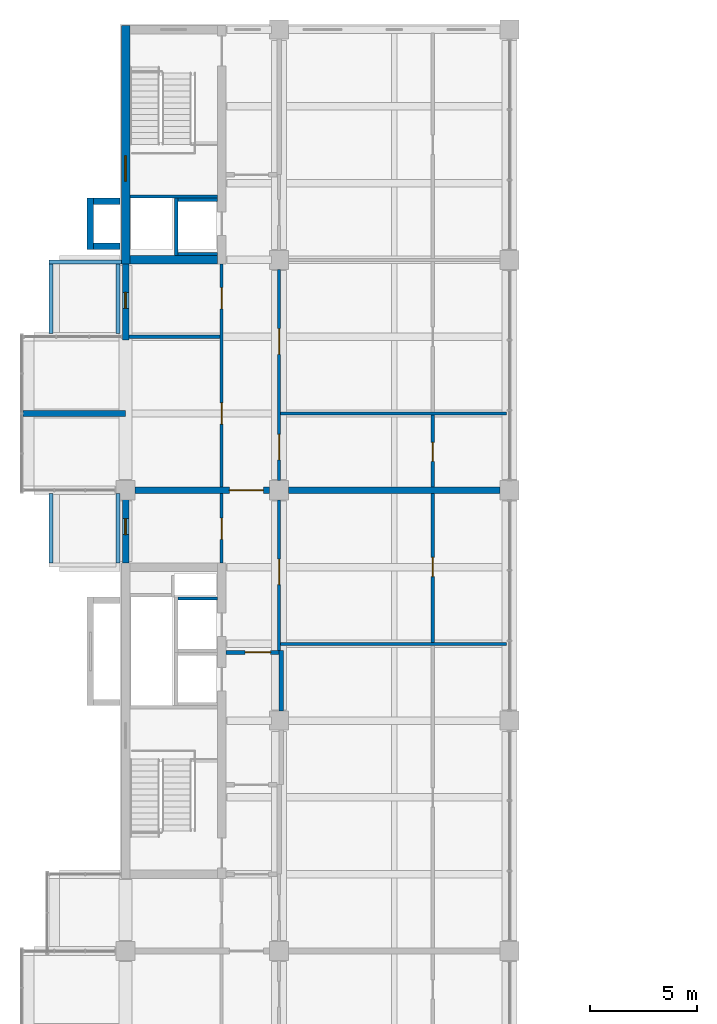
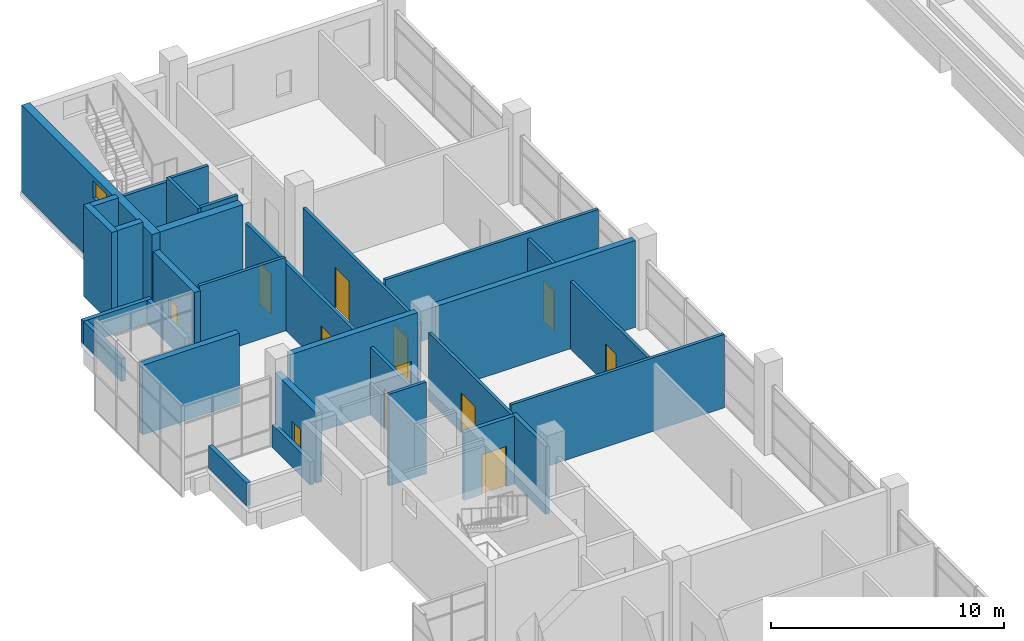
# One storey, part 25 of 32: 31 walls, 10 doors, 3 windows, 13 openings.
"""IFC4 building model written with IfcOpenShell, lengths in metres."""

import ifcopenshell
import ifcopenshell.guid

model = None  # the IFC model being written
_history = None  # IfcOwnerHistory: only IFC2X3 demands one
_inside = {}  # id of a spatial element -> (the spatial element, [elements in it])
_under = {}  # id of a project, library or spatial element -> (it, [spatial elements below it])
_declared = {}  # id of a project -> (the project, [libraries it declares])
_typed = {}  # id of a type object -> (the type object, [elements of that type])
_made_of = {}  # id of a material, layer set ... -> (it, [elements and type objects made of it])


def new_model(schema):
    """Start an empty IFC model of exactly this schema.

    Asked for "IFC4X3", IfcOpenShell would pick the latest addendum, in which some entities
    have other attributes; the version numbers below select the first issue.
    IFC2X3 requires an IfcOwnerHistory on every rooted entity: one is made here for all.
    """
    global model, _history
    if schema == "IFC4X3":
        model = ifcopenshell.file(schema_version=(4, 3, 0, 0))
    else:
        model = ifcopenshell.file(schema=schema)
    _inside.clear()
    _under.clear()
    _declared.clear()
    _typed.clear()
    _made_of.clear()
    _history = None
    if model.schema == "IFC2X3":
        org = make("IfcOrganization", Name="unknown")
        user = make(
            "IfcPersonAndOrganization",
            ThePerson=make("IfcPerson", FamilyName="unknown"),
            TheOrganization=org,
        )
        app = make(
            "IfcApplication",
            ApplicationDeveloper=org,
            Version="unknown",
            ApplicationFullName="unknown",
            ApplicationIdentifier="unknown",
        )
        _history = make(
            "IfcOwnerHistory",
            OwningUser=user,
            OwningApplication=app,
            ChangeAction="ADDED",
            CreationDate=0,
        )
    return model


def make(cls, **values):
    """One entity of the class cls with the attributes given. An attribute that is None is left unset."""
    return model.create_entity(
        cls, **{name: value for name, value in values.items() if value is not None}
    )


def rooted(cls, **values):
    """An entity with a GlobalId (a new one), such as an element, a storey or a relation."""
    return make(cls, GlobalId=ifcopenshell.guid.new(), OwnerHistory=_history, **values)


def si_unit(unit_type, name, prefix=None):
    """IfcSIUnit, for example si_unit("LENGTHUNIT", "METRE", prefix="MILLI")."""
    return make("IfcSIUnit", UnitType=unit_type, Prefix=prefix, Name=name)


def assignment(units):
    """IfcUnitAssignment: the units of a project."""
    return None if units is None else make("IfcUnitAssignment", Units=units)


def point(xyz):
    """IfcCartesianPoint."""
    return None if xyz is None else make("IfcCartesianPoint", Coordinates=xyz)


def direction(xyz):
    """IfcDirection."""
    return None if xyz is None else make("IfcDirection", DirectionRatios=xyz)


def frame(location, z_axis=None, x_axis=None):
    """IfcAxis2Placement3D, a coordinate frame: its origin and axes. An axis left out is left unset."""
    return make(
        "IfcAxis2Placement3D",
        Location=point(location),
        Axis=direction(z_axis),
        RefDirection=direction(x_axis),
    )


def frame_2d(location, x_axis=None):
    """IfcAxis2Placement2D, a coordinate frame in the plane: its origin and x axis."""
    return make(
        "IfcAxis2Placement2D", Location=point(location), RefDirection=direction(x_axis)
    )


def origin():
    """The frame at (0, 0, 0) with its axes left unset."""
    return frame((0.0, 0.0, 0.0))


def place(relative_to, where):
    """IfcLocalPlacement: puts the frame where relative to a parent placement (None: the world)."""
    return make(
        "IfcLocalPlacement", PlacementRelTo=relative_to, RelativePlacement=where
    )


def context(
    kind, dimensions, precision=None, world=None, true_north=None, identifier=None
):
    """IfcGeometricRepresentationContext, for example the 3D "Model" context."""
    return make(
        "IfcGeometricRepresentationContext",
        ContextIdentifier=identifier,
        ContextType=kind,
        CoordinateSpaceDimension=dimensions,
        Precision=precision,
        WorldCoordinateSystem=world,
        TrueNorth=true_north,
    )


def subcontext(parent, identifier, kind, view, scale=None):
    """IfcGeometricRepresentationSubContext, for example "Body" below "Model"."""
    return make(
        "IfcGeometricRepresentationSubContext",
        ContextIdentifier=identifier,
        ContextType=kind,
        ParentContext=parent,
        TargetScale=scale,
        TargetView=view,
    )


def project(units=None, contexts=None):
    """IfcProject with its units and contexts."""
    return rooted(
        "IfcProject",
        Name="project",
        RepresentationContexts=contexts,
        UnitsInContext=assignment(units),
    )


def spatial(cls, under=None, at=None, **own):
    """A site, building, storey or space (cls), placed at a placement, below another one or the project."""
    s = rooted(cls, ObjectPlacement=at, **own)
    if under is not None:
        _under.setdefault(under.id(), (under, []))[1].append(s)
    return s


def profile(cls, at=None, kind="AREA", **sizes):
    """A parametric profile (cls). Its sizes go by their IFC names, for example OverallWidth=200.0."""
    return make(cls, ProfileType=kind, Position=at, **sizes)


def rectangle(**sizes):
    """IfcRectangleProfileDef."""
    return profile("IfcRectangleProfileDef", **sizes)


def extrude(swept, where, along, depth):
    """IfcExtrudedAreaSolid: the profile swept, set in the frame where, extruded along a direction by depth."""
    return make(
        "IfcExtrudedAreaSolid",
        SweptArea=swept,
        Position=where,
        ExtrudedDirection=direction(along),
        Depth=depth,
    )


def shape(context_of_items, identifier, shape_type, items):
    """IfcShapeRepresentation: the items that make up one representation, for example the "Body"."""
    return make(
        "IfcShapeRepresentation",
        ContextOfItems=context_of_items,
        RepresentationIdentifier=identifier,
        RepresentationType=shape_type,
        Items=items,
    )


def material(Name=None, Category=None):
    """IfcMaterial."""
    return make("IfcMaterial", Name=Name, Category=Category)


def layer(
    of_material, thickness, ventilated=None, Name=None, Category=None, Priority=None
):
    """IfcMaterialLayer: one layer of a wall or slab, of a material (None: an air gap)."""
    return make(
        "IfcMaterialLayer",
        Material=of_material,
        LayerThickness=thickness,
        IsVentilated=ventilated,
        Name=Name,
        Category=Category,
        Priority=Priority,
    )


def layer_set(layers, Name=None):
    """IfcMaterialLayerSet."""
    return make("IfcMaterialLayerSet", MaterialLayers=layers, LayerSetName=Name)


def made_of(thing, what):
    """Note that an element or type object is made of a material, layer set ...; save() writes the relation."""
    if what is not None:
        _made_of.setdefault(what.id(), (what, []))[1].append(thing)
    return thing


def type_object(cls, material=None, **own):
    """A type object (cls), such as IfcWallType, which elements share."""
    return made_of(rooted(cls, **own), material)


def element(
    cls,
    number,
    at=None,
    inside=None,
    cuts=None,
    type_object=None,
    material=None,
    context=None,
    identifier="Body",
    shape_type=None,
    held_by="IfcProductDefinitionShape",
    body=None,
    shapes=None,
    **own,
):
    """One element of the class cls, such as IfcWall. Its Tag is "e" and its number.

    at: its placement. inside: the storey or other place that contains it. cuts: it is an
    opening in that element (IfcRelVoidsElement). A single representation is given by context,
    identifier, shape_type and body (its items); several are given by shapes. held_by: the class
    of the entity that holds the representations. save() writes the other relations.
    """
    e = rooted(cls, Tag="e%d" % number, ObjectPlacement=at, **own)
    if body is not None:
        shapes = [shape(context, identifier, shape_type, body)]
    if shapes is not None:
        e.Representation = make(held_by, Representations=shapes)
    if inside is not None:
        _inside.setdefault(inside.id(), (inside, []))[1].append(e)
    if cuts is not None:
        rooted(
            "IfcRelVoidsElement", RelatingBuildingElement=cuts, RelatedOpeningElement=e
        )
    if type_object is not None:
        _typed.setdefault(type_object.id(), (type_object, []))[1].append(e)
    return made_of(e, material)


def fill(opening, filler):
    """IfcRelFillsElement: the door or window that sits in an opening."""
    return rooted(
        "IfcRelFillsElement",
        RelatingOpeningElement=opening,
        RelatedBuildingElement=filler,
    )


def aggregate(whole, parts):
    """IfcRelAggregates: a whole, such as a stair, and the parts it consists of."""
    return rooted("IfcRelAggregates", RelatingObject=whole, RelatedObjects=parts)


def save(model, path):
    """Write the relations noted so far, then the file.

    IfcRelAggregates (storeys below a building ...), IfcRelContainedInSpatialStructure (elements
    in a storey), IfcRelDefinesByType, IfcRelAssociatesMaterial and IfcRelDeclares: one each for
    every whole, place, type object, material and project.
    """
    for whole, parts in _under.values():
        aggregate(whole, parts)
    for where, things in _inside.values():
        rooted(
            "IfcRelContainedInSpatialStructure",
            RelatedElements=things,
            RelatingStructure=where,
        )
    for kind, things in _typed.values():
        rooted("IfcRelDefinesByType", RelatedObjects=things, RelatingType=kind)
    for what, things in _made_of.values():
        rooted("IfcRelAssociatesMaterial", RelatedObjects=things, RelatingMaterial=what)
    for by, libraries in _declared.values():
        rooted("IfcRelDeclares", RelatingContext=by, RelatedDefinitions=libraries)
    model.write(path)


model = new_model("IFC4")

# Units and contexts
model_context = context("Model", 3, precision=1e-05, world=origin(), true_north=direction((0.0, 1.0)))
body_context = subcontext(model_context, "Body", "Model", "MODEL_VIEW")
ifc_project = project(units=[si_unit("LENGTHUNIT", "METRE"), si_unit("AREAUNIT", "SQUARE_METRE"), si_unit("VOLUMEUNIT", "CUBIC_METRE"), si_unit("PLANEANGLEUNIT", "RADIAN"), si_unit("MASSUNIT", "GRAM", prefix="KILO")], contexts=[model_context])

# Site, building, storey
site_placement = place(None, origin())
site = spatial("IfcSite", under=ifc_project, at=site_placement, CompositionType="ELEMENT")
building_placement = place(site_placement, origin())
building = spatial("IfcBuilding", under=site, at=building_placement, Name="Basin Gate Institute", CompositionType="ELEMENT")
storey_placement = place(building_placement, frame((0.0, 0.0, 41.39990234375)))
storey = spatial("IfcBuildingStorey", under=building, at=storey_placement, Name="L08", CompositionType="ELEMENT", Elevation=41.39990234375)

# Wall
ifc_material_1 = material(Name="Aluminium-faced insulated panel wall", Category="aluminium")
ifc_layer_1 = layer(ifc_material_1, 0.300048828125)
ifc_layer_set_1 = layer_set([ifc_layer_1], Name="Capsule side wall EW2 EI 120")
wall_type_1 = type_object("IfcWallType", Name="Capsule side wall EW2 EI 120", PredefinedType="STANDARD", material=ifc_layer_set_1)
wall_1_placement = place(storey_placement, frame((56.39990234375, 81.89990234375, 0.0), z_axis=(0.0, 0.0, 1.0), x_axis=(1.0, 0.0, 0.0)))
element("IfcWall", 1, at=wall_1_placement, inside=storey, type_object=wall_type_1, material=ifc_layer_set_1, Name="Capsule side wall W wing L08 line 14", PredefinedType="STANDARD", context=body_context, shape_type="SweptSolid", body=[
    extrude(rectangle(XDim=4.800048828125, YDim=0.300048828125, at=frame_2d((2.39990234375, 0.0))), origin(), (0.0, 0.0, 1.0), 3.650146484375),
])

# Wall, opening, door
ifc_material_2 = material(Name="Fire-rated masonry", Category="masonry")
ifc_layer_2 = layer(ifc_material_2, 0.199951171875)
ifc_layer_set_2 = layer_set([ifc_layer_2], Name="Enclosure wall PW2 200 EI 60")
wall_type_2 = type_object("IfcWallType", Name="Enclosure wall PW2 200 EI 60", PredefinedType="PARTITIONING", material=ifc_layer_set_2)
wall_2_placement = place(storey_placement, frame((65.89990234375, 70.699951171875, 0.0), z_axis=(0.0, 0.0, 1.0), x_axis=(1.0, 0.0, 0.0)))
wall_2 = element("IfcWall", 2, at=wall_2_placement, inside=storey, type_object=wall_type_2, material=ifc_layer_set_2, Name="Emergency lift lobby wall PW2 L08", PredefinedType="PARTITIONING", context=body_context, shape_type="SweptSolid", body=[
    extrude(rectangle(XDim=2.5, YDim=0.199951171875, at=frame_2d((1.25, 0.0))), origin(), (0.0, 0.0, 1.0), 3.550048828125),
])
opening_1_placement = place(wall_2_placement, frame((0.89990234375, 0.0, 0.0)))
opening_1 = element("IfcOpeningElement", 3, at=opening_1_placement, cuts=wall_2, Name="Opening DR402", PredefinedType="OPENING", context=body_context, shape_type="SweptSolid", body=[
    extrude(rectangle(XDim=1.199951171875, YDim=2.10009765625, at=frame_2d((0.60009765625, 1.050048828125))), frame((0.0, 0.10986328125, 0.0), z_axis=(0.0, -1.0, 0.0), x_axis=(1.0, 0.0, 0.0)), (0.0, 0.0, 1.0), 0.219970703125),
])
ifc_material_3 = material(Name="Steel fire door", Category="steel")
door_type_1 = type_object("IfcDoorType", Name="FD60 Emergency lift lobby door D9", OperationType="NOTDEFINED", PredefinedType="DOOR", material=ifc_material_3)
door_1_placement = place(opening_1_placement, frame((1.199951171875, 0.0, 0.0), z_axis=(0.0, 0.0, 1.0), x_axis=(-1.0, 0.0, 0.0)))
door_1 = element("IfcDoor", 4, at=door_1_placement, inside=storey, type_object=door_type_1, material=ifc_material_3, Name="Emergency lift lobby door LF1 L08", OperationType="SINGLE_SWING_LEFT", OverallHeight=2.10009765625, OverallWidth=1.199951171875, PredefinedType="DOOR", context=body_context, shape_type="SweptSolid", body=[
    extrude(rectangle(XDim=1.199951171875, YDim=2.10009765625, at=frame_2d((0.60009765625, 1.050048828125))), frame((0.0, 0.02490234375, 0.0), z_axis=(0.0, -1.0, 0.0), x_axis=(1.0, 0.0, 0.0)), (0.0, 0.0, 1.0), 0.050048828125),
])
fill(opening_1, door_1)

# Wall
wall_3_placement = place(storey_placement, frame((68.5, 67.949951171875, 0.0), z_axis=(0.0, 0.0, 1.0), x_axis=(0.0, 1.0, 0.0)))
element("IfcWall", 5, at=wall_3_placement, inside=storey, type_object=wall_type_2, material=ifc_layer_set_2, Name="Emergency lift lobby wall PW2 L08", PredefinedType="PARTITIONING", context=body_context, shape_type="SweptSolid", body=[
    extrude(rectangle(XDim=2.85009765625, YDim=0.199951171875, at=frame_2d((1.425048828125, 0.0))), origin(), (0.0, 0.0, 1.0), 3.550048828125),
])

# Wall, opening, window
ifc_material_4 = material(Name="Aluminium-faced insulated panel wall", Category="aluminium")
ifc_layer_3 = layer(ifc_material_4, 0.300048828125)
ifc_layer_set_3 = layer_set([ifc_layer_3], Name="External wall EW1 EI 120")
wall_type_3 = type_object("IfcWallType", Name="External wall EW1 EI 120", PredefinedType="STANDARD", material=ifc_layer_set_3)
wall_4_placement = place(storey_placement, frame((61.199951171875, 74.89990234375, 0.0), z_axis=(0.0, 0.0, 1.0), x_axis=(0.0, 1.0, 0.0)))
wall_4 = element("IfcWall", 6, at=wall_4_placement, inside=storey, type_object=wall_type_3, material=ifc_layer_set_3, Name="External wall W facade L08 1", PredefinedType="STANDARD", context=body_context, shape_type="SweptSolid", body=[
    extrude(rectangle(XDim=3.550048828125, YDim=0.300048828125, at=frame_2d((1.77490234375, 0.0))), origin(), (0.0, 0.0, 1.0), 3.650146484375),
])
opening_2_placement = place(wall_4_placement, frame((1.324951171875, 0.0, 0.800048828125)))
opening_2 = element("IfcOpeningElement", 7, at=opening_2_placement, cuts=wall_4, Name="Opening WN3", PredefinedType="OPENING", context=body_context, shape_type="SweptSolid", body=[
    extrude(rectangle(XDim=0.75, YDim=1.199951171875, at=frame_2d((0.375, 0.60009765625))), frame((0.0, 0.16015625, 0.0), z_axis=(0.0, -1.0, 0.0), x_axis=(1.0, 0.0, 0.0)), (0.0, 0.0, 1.0), 0.320068359375),
])
ifc_material_5 = material(Name="Aluminium-framed double glazing", Category="aluminium")
window_type_1 = type_object("IfcWindowType", Name="Emergency entry panel WN3", PartitioningType="SINGLE_PANEL", PredefinedType="WINDOW", material=ifc_material_5)
window_1_placement = place(opening_2_placement, origin())
window_1 = element("IfcWindow", 8, at=window_1_placement, inside=storey, type_object=window_type_1, material=ifc_material_5, Name="Emergency entry panel W facade L08 bay 12", OverallHeight=1.199951171875, OverallWidth=0.75, PartitioningType="SINGLE_PANEL", PredefinedType="WINDOW", context=body_context, shape_type="SweptSolid", body=[
    extrude(rectangle(XDim=0.75, YDim=1.199951171875, at=frame_2d((0.375, 0.60009765625))), frame((0.0, 0.030029296875, 0.0), z_axis=(0.0, -1.0, 0.0), x_axis=(1.0, 0.0, 0.0)), (0.0, 0.0, 1.0), 0.06005859375),
])
fill(opening_2, window_1)

wall_5_placement = place(storey_placement, frame((61.199951171875, 85.35009765625, 0.0), z_axis=(0.0, 0.0, 1.0), x_axis=(0.0, 1.0, 0.0)))
wall_5 = element("IfcWall", 9, at=wall_5_placement, inside=storey, type_object=wall_type_3, material=ifc_layer_set_3, Name="External wall W facade L08 2", PredefinedType="STANDARD", context=body_context, shape_type="SweptSolid", body=[
    extrude(rectangle(XDim=3.5498046875, YDim=0.300048828125, at=frame_2d((1.77490234375, 0.0))), origin(), (0.0, 0.0, 1.0), 3.650146484375),
])
opening_3_placement = place(wall_5_placement, frame((1.47509765625, 0.0, 0.800048828125)))
opening_3 = element("IfcOpeningElement", 10, at=opening_3_placement, cuts=wall_5, Name="Opening WN3", PredefinedType="OPENING", context=body_context, shape_type="SweptSolid", body=[
    extrude(rectangle(XDim=0.75, YDim=1.199951171875, at=frame_2d((0.375, 0.60009765625))), frame((0.0, 0.16015625, 0.0), z_axis=(0.0, -1.0, 0.0), x_axis=(1.0, 0.0, 0.0)), (0.0, 0.0, 1.0), 0.320068359375),
])
window_2_placement = place(opening_3_placement, origin())
window_2 = element("IfcWindow", 11, at=window_2_placement, inside=storey, type_object=window_type_1, material=ifc_material_5, Name="Emergency entry panel W facade L08 bay 15", OverallHeight=1.199951171875, OverallWidth=0.75, PartitioningType="SINGLE_PANEL", PredefinedType="WINDOW", context=body_context, shape_type="SweptSolid", body=[
    extrude(rectangle(XDim=0.75, YDim=1.199951171875, at=frame_2d((0.375, 0.60009765625))), frame((0.0, 0.030029296875, 0.0), z_axis=(0.0, -1.0, 0.0), x_axis=(1.0, 0.0, 0.0)), (0.0, 0.0, 1.0), 0.06005859375),
])
fill(opening_3, window_2)

# Walls
ifc_material_6 = material(Name="Concrete 40 MPa", Category="concrete")
ifc_layer_4 = layer(ifc_material_6, 0.199951171875)
ifc_layer_set_4 = layer_set([ifc_layer_4], Name="Concrete 40 MPa")
wall_type_4 = type_object("IfcWallType", Name="Parapet wall PA1", PredefinedType="PARAPET", material=ifc_layer_set_4)
for number, where, z_axis, x_axis, name in (
    (12, (60.85009765625, 78.14990234375, 0.0), (0.0, 0.0, 1.0), (0.0, -1.0, 0.0), "Parapet wall PA1 L08 W1"),
    (13, (57.699951171875, 74.89990234375, 0.0), (0.0, 0.0, 1.0), (0.0, 1.0, 0.0), "Parapet wall PA1 L08 W3"),
):
    element("IfcWall", number, at=place(storey_placement, frame(where, z_axis=z_axis, x_axis=x_axis)), inside=storey, type_object=wall_type_4, material=ifc_layer_set_4, Name=name, PredefinedType="PARAPET", context=body_context, shape_type="SweptSolid", body=[
        extrude(rectangle(XDim=3.25, YDim=0.199951171875, at=frame_2d((1.625, 0.0))), origin(), (0.0, 0.0, 1.0), 1.2001953125),
    ])
wall_6_placement = place(storey_placement, frame((57.60009765625, 89.0, 0.0), z_axis=(0.0, 0.0, 1.0), x_axis=(1.0, 0.0, 0.0)))
element("IfcWall", 14, at=wall_6_placement, inside=storey, type_object=wall_type_4, material=ifc_layer_set_4, Name="Parapet wall PA1 L08 W4", PredefinedType="PARAPET", context=body_context, shape_type="SweptSolid", body=[
    extrude(rectangle(XDim=3.39990234375, YDim=0.199951171875, at=frame_2d((1.699951171875, 0.0))), origin(), (0.0, 0.0, 1.0), 1.2001953125),
])
for number, where, z_axis, x_axis, name in (
    (15, (60.85009765625, 88.89990234375, 0.0), (0.0, 0.0, 1.0), (0.0, -1.0, 0.0), "Parapet wall PA1 L08 W5"),
    (16, (57.699951171875, 85.64990234375, 0.0), (0.0, 0.0, 1.0), (0.0, 1.0, 0.0), "Parapet wall PA1 L08 W6"),
):
    element("IfcWall", number, at=place(storey_placement, frame(where, z_axis=z_axis, x_axis=x_axis)), inside=storey, type_object=wall_type_4, material=ifc_layer_set_4, Name=name, PredefinedType="PARAPET", context=body_context, shape_type="SweptSolid", body=[
        extrude(rectangle(XDim=3.25, YDim=0.199951171875, at=frame_2d((1.625, 0.0))), origin(), (0.0, 0.0, 1.0), 1.2001953125),
    ])

# Wall, opening, door
ifc_material_7 = material(Name="Gypsum board on steel stud", Category="steel")
ifc_layer_5 = layer(ifc_material_7, 0.14990234375)
ifc_layer_set_5 = layer_set([ifc_layer_5], Name="Gypsum board on steel stud")
wall_type_5 = type_object("IfcWallType", Name="Partition PW1 150 EI 60", PredefinedType="PARTITIONING", material=ifc_layer_set_5)
wall_7_placement = place(storey_placement, frame((65.699951171875, 74.89990234375, 0.0), z_axis=(0.0, 0.0, 1.0), x_axis=(0.0, 1.0, 0.0)))
wall_7 = element("IfcWall", 17, at=wall_7_placement, inside=storey, type_object=wall_type_5, material=ifc_layer_set_5, Name="Corridor wall PW1 L08", PredefinedType="PARTITIONING", context=body_context, shape_type="SweptSolid", body=[
    extrude(rectangle(XDim=3.25, YDim=0.14990234375, at=frame_2d((1.625, 0.0))), origin(), (0.0, 0.0, 1.0), 3.550048828125),
])
opening_4_placement = place(wall_7_placement, frame((1.10009765625, 0.0, 0.0)))
opening_4 = element("IfcOpeningElement", 18, at=opening_4_placement, cuts=wall_7, Name="Opening DR391", PredefinedType="OPENING", context=body_context, shape_type="SweptSolid", body=[
    extrude(rectangle(XDim=1.0, YDim=2.10009765625, at=frame_2d((0.5, 1.050048828125))), frame((0.0, 0.0849609375, 0.0), z_axis=(0.0, -1.0, 0.0), x_axis=(1.0, 0.0, 0.0)), (0.0, 0.0, 1.0), 0.169921875),
])
ifc_material_8 = material(Name="Timber fire door", Category="wood")
door_type_2 = type_object("IfcDoorType", Name="FD30 Toilet door D3", OperationType="NOTDEFINED", PredefinedType="DOOR", material=ifc_material_8)
door_2_placement = place(opening_4_placement, origin())
door_2 = element("IfcDoor", 19, at=door_2_placement, inside=storey, type_object=door_type_2, material=ifc_material_8, Name="Door to Female WC L08", OperationType="SINGLE_SWING_LEFT", OverallHeight=2.10009765625, OverallWidth=1.0, PredefinedType="DOOR", context=body_context, shape_type="SweptSolid", body=[
    extrude(rectangle(XDim=1.0, YDim=2.10009765625, at=frame_2d((0.5, 1.050048828125))), frame((0.0, 0.02490234375, 0.0), z_axis=(0.0, -1.0, 0.0), x_axis=(1.0, 0.0, 0.0)), (0.0, 0.0, 1.0), 0.050048828125),
])
fill(opening_4, door_2)

# Wall, openings, doors
wall_8_placement = place(storey_placement, frame((65.699951171875, 78.449951171875, 0.0), z_axis=(0.0, 0.0, 1.0), x_axis=(0.0, 1.0, 0.0)))
wall_8 = element("IfcWall", 20, at=wall_8_placement, inside=storey, type_object=wall_type_5, material=ifc_layer_set_5, Name="Corridor wall PW1 L08", PredefinedType="PARTITIONING", context=body_context, shape_type="SweptSolid", body=[
    extrude(rectangle(XDim=10.449951171875, YDim=0.14990234375, at=frame_2d((5.22509765625, 0.0))), origin(), (0.0, 0.0, 1.0), 3.550048828125),
])
opening_5_placement = place(wall_8_placement, frame((8.35009765625, 0.0, 0.0)))
opening_5 = element("IfcOpeningElement", 21, at=opening_5_placement, cuts=wall_8, Name="Opening DR381", PredefinedType="OPENING", context=body_context, shape_type="SweptSolid", body=[
    extrude(rectangle(XDim=1.0, YDim=2.10009765625, at=frame_2d((0.5, 1.050048828125))), frame((0.0, 0.0849609375, 0.0), z_axis=(0.0, -1.0, 0.0), x_axis=(1.0, 0.0, 0.0)), (0.0, 0.0, 1.0), 0.169921875),
])
opening_6_placement = place(wall_8_placement, frame((2.949951171875, 0.0, 0.0)))
opening_6 = element("IfcOpeningElement", 22, at=opening_6_placement, cuts=wall_8, Name="Opening DR393", PredefinedType="OPENING", context=body_context, shape_type="SweptSolid", body=[
    extrude(rectangle(XDim=1.0, YDim=2.10009765625, at=frame_2d((0.5, 1.050048828125))), frame((0.0, 0.0849609375, 0.0), z_axis=(0.0, -1.0, 0.0), x_axis=(1.0, 0.0, 0.0)), (0.0, 0.0, 1.0), 0.169921875),
])
ifc_material_9 = material(Name="Timber fire door", Category="wood")
door_type_3 = type_object("IfcDoorType", Name="FD30 Office door D1", OperationType="NOTDEFINED", PredefinedType="DOOR", material=ifc_material_9)
door_3_placement = place(opening_6_placement, origin())
door_3 = element("IfcDoor", 23, at=door_3_placement, inside=storey, type_object=door_type_3, material=ifc_material_9, Name="Door to Mechanical Plant Room 0804 L08", OperationType="SINGLE_SWING_LEFT", OverallHeight=2.10009765625, OverallWidth=1.0, PredefinedType="DOOR", context=body_context, shape_type="SweptSolid", body=[
    extrude(rectangle(XDim=1.0, YDim=2.10009765625, at=frame_2d((0.5, 1.050048828125))), frame((0.0, 0.02490234375, 0.0), z_axis=(0.0, -1.0, 0.0), x_axis=(1.0, 0.0, 0.0)), (0.0, 0.0, 1.0), 0.050048828125),
])
fill(opening_6, door_3)
door_4_placement = place(opening_5_placement, origin())
door_4 = element("IfcDoor", 24, at=door_4_placement, inside=storey, type_object=door_type_2, material=ifc_material_8, Name="Door to Accessible WC L08", OperationType="SINGLE_SWING_RIGHT", OverallHeight=2.10009765625, OverallWidth=1.0, PredefinedType="DOOR", context=body_context, shape_type="SweptSolid", body=[
    extrude(rectangle(XDim=1.0, YDim=2.10009765625, at=frame_2d((0.5, 1.050048828125))), frame((0.0, 0.02490234375, 0.0), z_axis=(0.0, -1.0, 0.0), x_axis=(1.0, 0.0, 0.0)), (0.0, 0.0, 1.0), 0.050048828125),
])
fill(opening_5, door_4)

# Wall, opening, door
wall_9_placement = place(storey_placement, frame((68.39990234375, 70.800048828125, 0.0), z_axis=(0.0, 0.0, 1.0), x_axis=(0.0, 1.0, 0.0)))
wall_9 = element("IfcWall", 25, at=wall_9_placement, inside=storey, type_object=wall_type_5, material=ifc_layer_set_5, Name="Laboratory corridor wall PW1 L08", PredefinedType="PARTITIONING", context=body_context, shape_type="SweptSolid", body=[
    extrude(rectangle(XDim=7.050048828125, YDim=0.14990234375, at=frame_2d((3.52490234375, 0.0))), origin(), (0.0, 0.0, 1.0), 3.550048828125),
])
opening_7_placement = place(wall_9_placement, frame((3.074951171875, 0.0, 0.0)))
opening_7 = element("IfcOpeningElement", 26, at=opening_7_placement, cuts=wall_9, Name="Opening DR387", PredefinedType="OPENING", context=body_context, shape_type="SweptSolid", body=[
    extrude(rectangle(XDim=1.199951171875, YDim=2.10009765625, at=frame_2d((0.60009765625, 1.050048828125))), frame((0.0, 0.0849609375, 0.0), z_axis=(0.0, -1.0, 0.0), x_axis=(1.0, 0.0, 0.0)), (0.0, 0.0, 1.0), 0.169921875),
])
ifc_material_10 = material(Name="Timber fire door", Category="wood")
door_type_4 = type_object("IfcDoorType", Name="FD30 Laboratory door D2", OperationType="DOUBLE_DOOR_SINGLE_SWING", PredefinedType="DOOR", material=ifc_material_10)
door_5_placement = place(opening_7_placement, frame((1.199951171875, 0.0, 0.0), z_axis=(0.0, 0.0, 1.0), x_axis=(-1.0, 0.0, 0.0)))
door_5 = element("IfcDoor", 27, at=door_5_placement, inside=storey, type_object=door_type_4, material=ifc_material_10, Name="Door to Chilled Water Plant Room 0822 L08", OperationType="DOUBLE_DOOR_SINGLE_SWING", OverallHeight=2.10009765625, OverallWidth=1.199951171875, PredefinedType="DOOR", context=body_context, shape_type="SweptSolid", body=[
    extrude(rectangle(XDim=1.199951171875, YDim=2.10009765625, at=frame_2d((0.60009765625, 1.050048828125))), frame((0.0, 0.02490234375, 0.0), z_axis=(0.0, -1.0, 0.0), x_axis=(1.0, 0.0, 0.0)), (0.0, 0.0, 1.0), 0.050048828125),
])
fill(opening_7, door_5)

# Wall, openings, doors
wall_10_placement = place(storey_placement, frame((68.39990234375, 78.75, 0.0), z_axis=(0.0, 0.0, 1.0), x_axis=(0.0, 1.0, 0.0)))
wall_10 = element("IfcWall", 28, at=wall_10_placement, inside=storey, type_object=wall_type_5, material=ifc_layer_set_5, Name="Laboratory corridor wall PW1 L08", PredefinedType="PARTITIONING", context=body_context, shape_type="SweptSolid", body=[
    extrude(rectangle(XDim=9.89990234375, YDim=0.14990234375, at=frame_2d((4.949951171875, 0.0))), origin(), (0.0, 0.0, 1.0), 3.550048828125),
])
opening_8_placement = place(wall_10_placement, frame((5.925048828125, 0.0, 0.0)))
opening_8 = element("IfcOpeningElement", 29, at=opening_8_placement, cuts=wall_10, Name="Opening DR388", PredefinedType="OPENING", context=body_context, shape_type="SweptSolid", body=[
    extrude(rectangle(XDim=1.199951171875, YDim=2.10009765625, at=frame_2d((0.60009765625, 1.050048828125))), frame((0.0, 0.0849609375, 0.0), z_axis=(0.0, -1.0, 0.0), x_axis=(1.0, 0.0, 0.0)), (0.0, 0.0, 1.0), 0.169921875),
])
opening_9_placement = place(wall_10_placement, frame((0.97509765625, 0.0, 0.0)))
opening_9 = element("IfcOpeningElement", 30, at=opening_9_placement, cuts=wall_10, Name="Opening DR390", PredefinedType="OPENING", context=body_context, shape_type="SweptSolid", body=[
    extrude(rectangle(XDim=1.199951171875, YDim=2.10009765625, at=frame_2d((0.60009765625, 1.050048828125))), frame((0.0, 0.0849609375, 0.0), z_axis=(0.0, -1.0, 0.0), x_axis=(1.0, 0.0, 0.0)), (0.0, 0.0, 1.0), 0.169921875),
])
door_6_placement = place(opening_8_placement, frame((1.199951171875, 0.0, 0.0), z_axis=(0.0, 0.0, 1.0), x_axis=(-1.0, 0.0, 0.0)))
door_6 = element("IfcDoor", 31, at=door_6_placement, inside=storey, type_object=door_type_4, material=ifc_material_10, Name="Door to Chilled Water Plant Room 0826 L08", OperationType="DOUBLE_DOOR_SINGLE_SWING", OverallHeight=2.10009765625, OverallWidth=1.199951171875, PredefinedType="DOOR", context=body_context, shape_type="SweptSolid", body=[
    extrude(rectangle(XDim=1.199951171875, YDim=2.10009765625, at=frame_2d((0.60009765625, 1.050048828125))), frame((0.0, 0.02490234375, 0.0), z_axis=(0.0, -1.0, 0.0), x_axis=(1.0, 0.0, 0.0)), (0.0, 0.0, 1.0), 0.050048828125),
])
fill(opening_8, door_6)
door_7_placement = place(opening_9_placement, frame((1.199951171875, 0.0, 0.0), z_axis=(0.0, 0.0, 1.0), x_axis=(-1.0, 0.0, 0.0)))
door_7 = element("IfcDoor", 32, at=door_7_placement, inside=storey, type_object=door_type_4, material=ifc_material_10, Name="Door to Exhaust Fan Room 0824 L08", OperationType="DOUBLE_DOOR_SINGLE_SWING", OverallHeight=2.10009765625, OverallWidth=1.199951171875, PredefinedType="DOOR", context=body_context, shape_type="SweptSolid", body=[
    extrude(rectangle(XDim=1.199951171875, YDim=2.10009765625, at=frame_2d((0.60009765625, 1.050048828125))), frame((0.0, 0.02490234375, 0.0), z_axis=(0.0, -1.0, 0.0), x_axis=(1.0, 0.0, 0.0)), (0.0, 0.0, 1.0), 0.050048828125),
])
fill(opening_9, door_7)

# Wall, opening, door
wall_11_placement = place(storey_placement, frame((75.60009765625, 71.175048828125, 0.0), z_axis=(0.0, 0.0, 1.0), x_axis=(0.0, 1.0, 0.0)))
wall_11 = element("IfcWall", 33, at=wall_11_placement, inside=storey, type_object=wall_type_5, material=ifc_layer_set_5, Name="Laboratory partition PW1 L08", PredefinedType="PARTITIONING", context=body_context, shape_type="SweptSolid", body=[
    extrude(rectangle(XDim=6.974853515625, YDim=0.14990234375, at=frame_2d((3.4873046875, 0.0))), origin(), (0.0, 0.0, 1.0), 3.550048828125),
])
opening_10_placement = place(wall_11_placement, frame((3.074951171875, 0.0, 0.0)))
opening_10 = element("IfcOpeningElement", 34, at=opening_10_placement, cuts=wall_11, Name="Opening DR398", PredefinedType="OPENING", context=body_context, shape_type="SweptSolid", body=[
    extrude(rectangle(XDim=0.89990234375, YDim=2.10009765625, at=frame_2d((0.449951171875, 1.050048828125))), frame((0.0, 0.0849609375, 0.0), z_axis=(0.0, -1.0, 0.0), x_axis=(1.0, 0.0, 0.0)), (0.0, 0.0, 1.0), 0.169921875),
])
ifc_material_11 = material(Name="Steel fire door", Category="steel")
door_type_5 = type_object("IfcDoorType", Name="FD60 Riser door D10", OperationType="NOTDEFINED", PredefinedType="DOOR", material=ifc_material_11)
door_8_placement = place(opening_10_placement, origin())
door_8 = element("IfcDoor", 35, at=door_8_placement, inside=storey, type_object=door_type_5, material=ifc_material_11, Name="Door to Riser Room 0823 L08", OperationType="SINGLE_SWING_RIGHT", OverallHeight=2.10009765625, OverallWidth=0.89990234375, PredefinedType="DOOR", context=body_context, shape_type="SweptSolid", body=[
    extrude(rectangle(XDim=0.89990234375, YDim=2.10009765625, at=frame_2d((0.449951171875, 1.050048828125))), frame((0.0, 0.02490234375, 0.0), z_axis=(0.0, -1.0, 0.0), x_axis=(1.0, 0.0, 0.0)), (0.0, 0.0, 1.0), 0.050048828125),
])
fill(opening_10, door_8)

wall_12_placement = place(storey_placement, frame((75.60009765625, 78.449951171875, 0.0), z_axis=(0.0, 0.0, 1.0), x_axis=(0.0, 1.0, 0.0)))
wall_12 = element("IfcWall", 36, at=wall_12_placement, inside=storey, type_object=wall_type_5, material=ifc_layer_set_5, Name="Laboratory partition PW1 L08", PredefinedType="PARTITIONING", context=body_context, shape_type="SweptSolid", body=[
    extrude(rectangle(XDim=3.375, YDim=0.14990234375, at=frame_2d((1.6875, 0.0))), origin(), (0.0, 0.0, 1.0), 3.550048828125),
])
opening_11_placement = place(wall_12_placement, frame((1.199951171875, 0.0, 0.0)))
opening_11 = element("IfcOpeningElement", 37, at=opening_11_placement, cuts=wall_12, Name="Opening DR399", PredefinedType="OPENING", context=body_context, shape_type="SweptSolid", body=[
    extrude(rectangle(XDim=0.89990234375, YDim=2.10009765625, at=frame_2d((0.449951171875, 1.050048828125))), frame((0.0, 0.0849609375, 0.0), z_axis=(0.0, -1.0, 0.0), x_axis=(1.0, 0.0, 0.0)), (0.0, 0.0, 1.0), 0.169921875),
])
door_9_placement = place(opening_11_placement, frame((0.89990234375, 0.0, 0.0), z_axis=(0.0, 0.0, 1.0), x_axis=(-1.0, 0.0, 0.0)))
door_9 = element("IfcDoor", 38, at=door_9_placement, inside=storey, type_object=door_type_5, material=ifc_material_11, Name="Door to Riser Room 0825 L08", OperationType="SINGLE_SWING_RIGHT", OverallHeight=2.10009765625, OverallWidth=0.89990234375, PredefinedType="DOOR", context=body_context, shape_type="SweptSolid", body=[
    extrude(rectangle(XDim=0.89990234375, YDim=2.10009765625, at=frame_2d((0.449951171875, 1.050048828125))), frame((0.0, 0.02490234375, 0.0), z_axis=(0.0, -1.0, 0.0), x_axis=(1.0, 0.0, 0.0)), (0.0, 0.0, 1.0), 0.050048828125),
])
fill(opening_11, door_9)

# Walls
for number, where, z_axis, x_axis, name in (
    (39, (68.47509765625, 71.10009765625, 0.0), (0.0, 0.0, 1.0), (1.0, 0.0, 0.0), "Laboratory partition PW1 L08"),
    (40, (68.47509765625, 81.89990234375, 0.0), (0.0, 0.0, 1.0), (1.0, 0.0, 0.0), "Laboratory partition PW1 L08"),
):
    element("IfcWall", number, at=place(storey_placement, frame(where, z_axis=z_axis, x_axis=x_axis)), inside=storey, type_object=wall_type_5, material=ifc_layer_set_5, Name=name, PredefinedType="PARTITIONING", context=body_context, shape_type="SweptSolid", body=[
        extrude(rectangle(XDim=10.574951171875, YDim=0.14990234375, at=frame_2d((5.28759765625, 0.0))), origin(), (0.0, 0.0, 1.0), 3.85009765625),
    ])
ifc_material_12 = material(Name="Gypsum board on steel stud", Category="steel")
ifc_layer_6 = layer(ifc_material_12, 0.14990234375)
ifc_layer_set_6 = layer_set([ifc_layer_6], Name="Gypsum board on steel stud")
wall_type_6 = type_object("IfcWallType", Name="Partition PW4 150", PredefinedType="PARTITIONING", material=ifc_layer_set_6)
wall_13_placement = place(storey_placement, frame((61.35009765625, 85.5, 0.0), z_axis=(0.0, 0.0, 1.0), x_axis=(1.0, 0.0, 0.0)))
element("IfcWall", 41, at=wall_13_placement, inside=storey, type_object=wall_type_6, material=ifc_layer_set_6, Name="Toilet partition PW4 L08", PredefinedType="PARTITIONING", context=body_context, shape_type="SweptSolid", body=[
    extrude(rectangle(XDim=4.27490234375, YDim=0.14990234375, at=frame_2d((2.137451171875, 0.0))), origin(), (0.0, 0.0, 1.0), 3.85009765625),
])
ifc_material_13 = material(Name="Concrete 40 MPa", Category="concrete")
ifc_layer_7 = layer(ifc_material_13, 0.14990234375)
ifc_layer_set_7 = layer_set([ifc_layer_7], Name="Concrete 40 MPa")
wall_type_7 = type_object("IfcWallType", Name="Wall LS1 lift shaft enclosure R120", PredefinedType="SOLIDWALL", material=ifc_layer_set_7)
wall_14_placement = place(storey_placement, frame((63.64990234375, 73.22509765625, 0.0), z_axis=(0.0, 0.0, 1.0), x_axis=(1.0, 0.0, 0.0)))
element("IfcWall", 42, at=wall_14_placement, inside=storey, type_object=wall_type_7, material=ifc_layer_set_7, Name="Lift shaft enclosure LP2 L08 RH", PredefinedType="SOLIDWALL", context=body_context, shape_type="SweptSolid", body=[
    extrude(rectangle(XDim=1.85009765625, YDim=0.14990234375, at=frame_2d((0.925048828125, 0.0))), origin(), (0.0, 0.0, 1.0), 4.800048828125),
])
wall_15_placement = place(storey_placement, frame((63.574951171875, 92.0, 0.0), z_axis=(0.0, 0.0, 1.0), x_axis=(0.0, -1.0, 0.0)))
element("IfcWall", 43, at=wall_15_placement, inside=storey, type_object=wall_type_7, material=ifc_layer_set_7, Name="Lift shaft enclosure LP3 L08 UL", PredefinedType="SOLIDWALL", context=body_context, shape_type="SweptSolid", body=[
    extrude(rectangle(XDim=2.699951171875, YDim=0.14990234375, at=frame_2d((1.35009765625, 0.0))), origin(), (0.0, 0.0, 1.0), 4.800048828125),
])
for number, where, z_axis, x_axis, name in (
    (44, (63.64990234375, 91.925048828125, 0.0), (0.0, 0.0, 1.0), (1.0, 0.0, 0.0), "Lift shaft enclosure LP3 L08 RL"),
    (45, (63.64990234375, 89.375, 0.0), (0.0, 0.0, 1.0), (1.0, 0.0, 0.0), "Lift shaft enclosure LP3 L08 RH"),
):
    element("IfcWall", number, at=place(storey_placement, frame(where, z_axis=z_axis, x_axis=x_axis)), inside=storey, type_object=wall_type_7, material=ifc_layer_set_7, Name=name, PredefinedType="SOLIDWALL", context=body_context, shape_type="SweptSolid", body=[
        extrude(rectangle(XDim=1.85009765625, YDim=0.14990234375, at=frame_2d((0.925048828125, 0.0))), origin(), (0.0, 0.0, 1.0), 4.800048828125),
    ])
ifc_material_14 = material(Name="Concrete 40 MPa", Category="concrete")
ifc_layer_8 = layer(ifc_material_14, 0.14990234375)
ifc_layer_set_8 = layer_set([ifc_layer_8], Name="Concrete 40 MPa")
wall_type_8 = type_object("IfcWallType", Name="Wall SE1 stair enclosure R120", PredefinedType="SOLIDWALL", material=ifc_layer_set_8)
wall_16_placement = place(storey_placement, frame((61.39990234375, 92.074951171875, 0.0), z_axis=(0.0, 0.0, 1.0), x_axis=(1.0, 0.0, 0.0)))
element("IfcWall", 46, at=wall_16_placement, inside=storey, type_object=wall_type_8, material=ifc_layer_set_8, Name="Stair enclosure wall ST-WN L08", PredefinedType="SOLIDWALL", context=body_context, shape_type="SweptSolid", body=[
    extrude(rectangle(XDim=4.10009765625, YDim=0.14990234375, at=frame_2d((2.050048828125, 0.0))), origin(), (0.0, 0.0, 1.0), 4.550048828125),
])
ifc_material_15 = material(Name="Concrete 50 MPa", Category="concrete")
ifc_layer_9 = layer(ifc_material_15, 0.300048828125)
ifc_layer_set_9 = layer_set([ifc_layer_9], Name="Concrete 50 MPa")
wall_type_9 = type_object("IfcWallType", Name="Wall SK1 R120", PredefinedType="SHEAR", material=ifc_layer_set_9)
wall_17_placement = place(storey_placement, frame((59.550048828125, 89.60009765625, 0.0), z_axis=(0.0, 0.0, 1.0), x_axis=(0.0, 1.0, 0.0)))
element("IfcWall", 47, at=wall_17_placement, inside=storey, type_object=wall_type_9, material=ifc_layer_set_9, Name="Spine riser stack wall SK1 WN F L08", PredefinedType="SHEAR", context=body_context, shape_type="SweptSolid", body=[
    extrude(rectangle(XDim=2.39990234375, YDim=0.300048828125, at=frame_2d((1.199951171875, 0.0))), origin(), (0.0, 0.0, 1.0), 4.800048828125),
])
for number, where, z_axis, x_axis, name in (
    (48, (60.949951171875, 89.75, 0.0), (0.0, 0.0, 1.0), (-1.0, 0.0, 0.0), "Spine riser stack wall SK1 WN A L08"),
    (49, (60.949951171875, 91.85009765625, 0.0), (0.0, 0.0, 1.0), (-1.0, 0.0, 0.0), "Spine riser stack wall SK1 WN B L08"),
):
    element("IfcWall", number, at=place(storey_placement, frame(where, z_axis=z_axis, x_axis=x_axis)), inside=storey, type_object=wall_type_9, material=ifc_layer_set_9, Name=name, PredefinedType="SHEAR", context=body_context, shape_type="SweptSolid", body=[
        extrude(rectangle(XDim=1.25, YDim=0.300048828125, at=frame_2d((0.625, 0.0))), origin(), (0.0, 0.0, 1.0), 4.800048828125),
    ])

# Wall, opening, window
ifc_material_16 = material(Name="Concrete 50 MPa", Category="concrete")
ifc_layer_10 = layer(ifc_material_16, 0.39990234375)
ifc_layer_set_10 = layer_set([ifc_layer_10], Name="Concrete 50 MPa")
wall_type_10 = type_object("IfcWallType", Name="Wall SW2 R120", PredefinedType="SHEAR", material=ifc_layer_set_10)
wall_18_placement = place(storey_placement, frame((61.199951171875, 88.89990234375, 0.0), z_axis=(0.0, 0.0, 1.0), x_axis=(0.0, 1.0, 0.0)))
wall_18 = element("IfcWall", 50, at=wall_18_placement, inside=storey, type_object=wall_type_10, material=ifc_layer_set_10, Name="WALL/L08/WN/L", PredefinedType="SHEAR", context=body_context, shape_type="SweptSolid", body=[
    extrude(rectangle(XDim=11.2001953125, YDim=0.39990234375, at=frame_2d((5.60009765625, 0.0))), origin(), (0.0, 0.0, 1.0), 4.550048828125),
])
opening_12_placement = place(wall_18_placement, frame((3.889892578125, 0.0, 3.39990234375)))
opening_12 = element("IfcOpeningElement", 51, at=opening_12_placement, cuts=wall_18, Name="Opening WT2", PredefinedType="OPENING", context=body_context, shape_type="SweptSolid", body=[
    extrude(rectangle(XDim=1.199951171875, YDim=0.89990234375, at=frame_2d((0.60009765625, 0.449951171875))), frame((0.0, 0.2099609375, 0.0), z_axis=(0.0, -1.0, 0.0), x_axis=(1.0, 0.0, 0.0)), (0.0, 0.0, 1.0), 0.419921875),
])
ifc_material_17 = material(Name="Fire-resistant glazing in steel-free frame", Category="steel")
window_type_2 = type_object("IfcWindowType", Name="Rated stair window EI 120 WT2", PartitioningType="SINGLE_PANEL", PredefinedType="WINDOW", material=ifc_material_17)
window_3_placement = place(opening_12_placement, origin())
window_3 = element("IfcWindow", 52, at=window_3_placement, inside=storey, type_object=window_type_2, material=ifc_material_17, Name="Rated stair window EI 120 WN landing L08", OverallHeight=0.89990234375, OverallWidth=1.199951171875, PartitioningType="SINGLE_PANEL", PredefinedType="WINDOW", context=body_context, shape_type="SweptSolid", body=[
    extrude(rectangle(XDim=1.199951171875, YDim=0.89990234375, at=frame_2d((0.60009765625, 0.449951171875))), frame((0.0, 0.030029296875, 0.0), z_axis=(0.0, -1.0, 0.0), x_axis=(1.0, 0.0, 0.0)), (0.0, 0.0, 1.0), 0.06005859375),
])
fill(opening_12, window_3)

# Wall
wall_19_placement = place(storey_placement, frame((61.39990234375, 89.10009765625, 0.0), z_axis=(0.0, 0.0, 1.0), x_axis=(1.0, 0.0, 0.0)))
element("IfcWall", 53, at=wall_19_placement, inside=storey, type_object=wall_type_10, material=ifc_layer_set_10, Name="WALL/L08/WN/S", PredefinedType="SHEAR", context=body_context, shape_type="SweptSolid", body=[
    extrude(rectangle(XDim=4.10009765625, YDim=0.39990234375, at=frame_2d((2.050048828125, 0.0))), origin(), (0.0, 0.0, 1.0), 4.550048828125),
])

# Wall, opening, door
ifc_material_18 = material(Name="Concrete 50 MPa", Category="concrete")
ifc_layer_11 = layer(ifc_material_18, 0.300048828125)
ifc_layer_set_11 = layer_set([ifc_layer_11], Name="Concrete 50 MPa")
wall_type_11 = type_object("IfcWallType", Name="Wall XW1 R120", PredefinedType="SHEAR", material=ifc_layer_set_11)
wall_20_placement = place(storey_placement, frame((61.64990234375, 78.300048828125, 0.0), z_axis=(0.0, 0.0, 1.0), x_axis=(1.0, 0.0, 0.0)))
wall_20 = element("IfcWall", 54, at=wall_20_placement, inside=storey, type_object=wall_type_11, material=ifc_layer_set_11, Name="WALL/L08/WXE/1", PredefinedType="SHEAR", context=body_context, shape_type="SweptSolid", body=[
    extrude(rectangle(XDim=6.300048828125, YDim=0.300048828125, at=frame_2d((3.14990234375, 0.0))), origin(), (0.0, 0.0, 1.0), 4.550048828125),
])
opening_13_placement = place(wall_20_placement, frame((4.41259765625, 0.0, 0.0)))
opening_13 = element("IfcOpeningElement", 55, at=opening_13_placement, cuts=wall_20, Name="Opening DR408", PredefinedType="OPENING", context=body_context, shape_type="SweptSolid", body=[
    extrude(rectangle(XDim=1.60009765625, YDim=2.10009765625, at=frame_2d((0.800048828125, 1.050048828125))), frame((0.0, 0.16015625, 0.0), z_axis=(0.0, -1.0, 0.0), x_axis=(1.0, 0.0, 0.0)), (0.0, 0.0, 1.0), 0.320068359375),
])
ifc_material_19 = material(Name="Steel fire door", Category="steel")
door_type_6 = type_object("IfcDoorType", Name="FD60 Compartment door pair D7", OperationType="DOUBLE_DOOR_SINGLE_SWING", PredefinedType="DOOR", material=ifc_material_19)
door_10_placement = place(opening_13_placement, frame((1.60009765625, 0.0, 0.0), z_axis=(0.0, 0.0, 1.0), x_axis=(-1.0, 0.0, 0.0)))
door_10 = element("IfcDoor", 56, at=door_10_placement, inside=storey, type_object=door_type_6, material=ifc_material_19, Name="Compartment door pair L08 W2 L08", OperationType="DOUBLE_DOOR_SINGLE_SWING", OverallHeight=2.10009765625, OverallWidth=1.60009765625, PredefinedType="DOOR", context=body_context, shape_type="SweptSolid", body=[
    extrude(rectangle(XDim=1.60009765625, YDim=2.10009765625, at=frame_2d((0.800048828125, 1.050048828125))), frame((0.0, 0.02490234375, 0.0), z_axis=(0.0, -1.0, 0.0), x_axis=(1.0, 0.0, 0.0)), (0.0, 0.0, 1.0), 0.050048828125),
])
fill(opening_13, door_10)

# Wall
wall_21_placement = place(storey_placement, frame((68.85009765625, 78.300048828125, 0.0), z_axis=(0.0, 0.0, 1.0), x_axis=(1.0, 0.0, 0.0)))
element("IfcWall", 57, at=wall_21_placement, inside=storey, type_object=wall_type_11, material=ifc_layer_set_11, Name="WALL/L08/WXE/2", PredefinedType="SHEAR", context=body_context, shape_type="SweptSolid", body=[
    extrude(rectangle(XDim=9.89990234375, YDim=0.300048828125, at=frame_2d((4.949951171875, 0.0))), origin(), (0.0, 0.0, 1.0), 4.550048828125),
])

save(model, "model.ifc")
